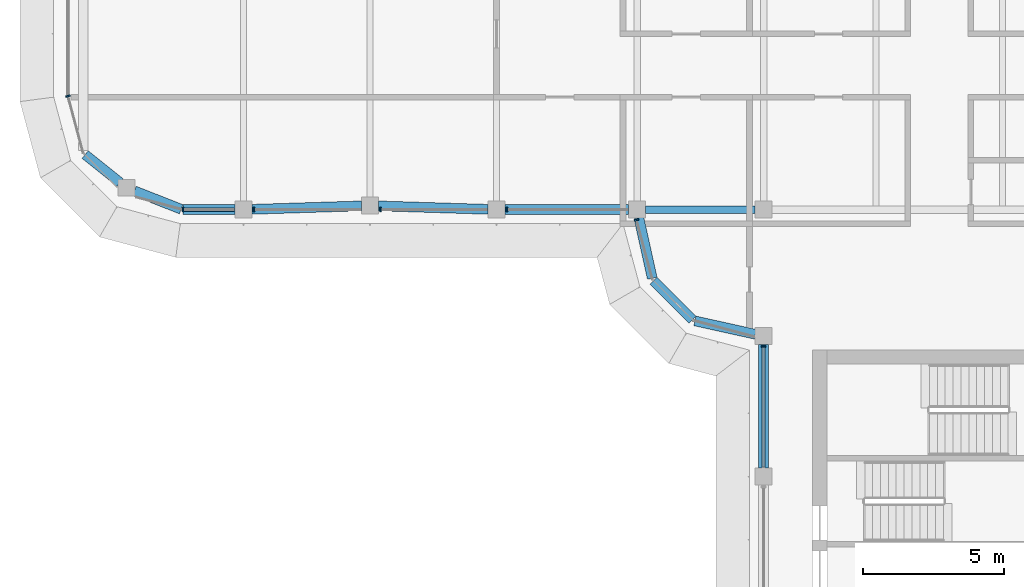
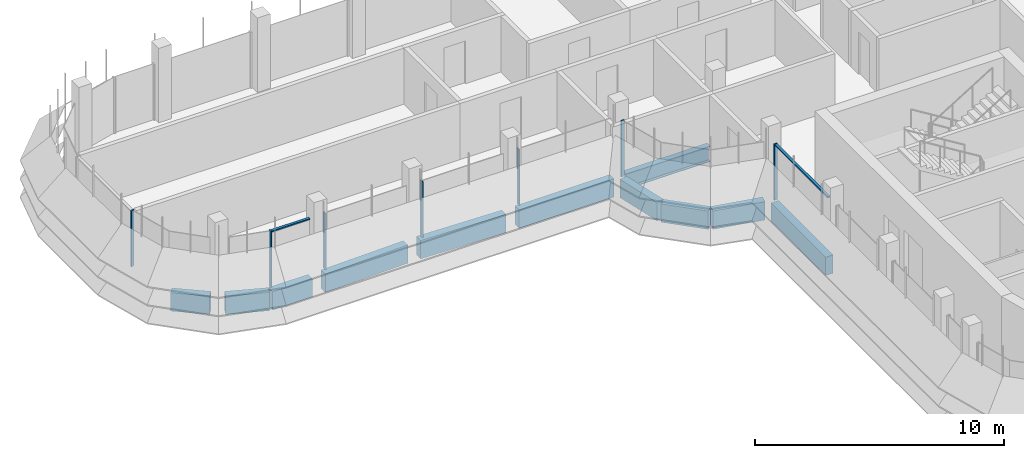
# One storey, part 3 of 19: 11 beams, 9 members, 4 elements without a shape of their own.
"""IFC4 building model written with IfcOpenShell, lengths in metres."""

from ifc_helpers import new_model, si_unit, direction, frame, origin, origin_2d, place, context, subcontext, project, spatial, polyline, rectangle, i_section, outline, extrude, source, transform, mapped, material, material_profile, profile_set, type_object, element, aggregate, save


model = new_model("IFC4")

# Units and contexts
model_context = context("Model", 3, precision=1e-05, world=origin(), true_north=direction((0.0, 1.0)))
body_context = subcontext(model_context, "Body", "Model", "MODEL_VIEW")
ifc_project = project(units=[si_unit("LENGTHUNIT", "METRE"), si_unit("AREAUNIT", "SQUARE_METRE"), si_unit("VOLUMEUNIT", "CUBIC_METRE"), si_unit("PLANEANGLEUNIT", "RADIAN"), si_unit("MASSUNIT", "GRAM", prefix="KILO")], contexts=[model_context])

# Site, building, storey
site_placement = place(None, origin())
site = spatial("IfcSite", under=ifc_project, at=site_placement, CompositionType="ELEMENT")
building_placement = place(site_placement, origin())
building = spatial("IfcBuilding", under=site, at=building_placement, Name="Zarbagh Exchange Tower", CompositionType="ELEMENT")
storey_placement = place(building_placement, frame((0.0, 0.0, 280.199951171875)))
storey = spatial("IfcBuildingStorey", under=building, at=storey_placement, Name="L69", CompositionType="ELEMENT", Elevation=280.199951171875)

# Beams
ifc_material_1 = material(Name="Steel ASTM A992 Gr 50", Category="steel")
ifc_material_profile_1 = material_profile(ifc_material_1, i_section(OverallWidth=0.2666015625, OverallDepth=0.7568359375, WebThickness=0.013916015625, FlangeThickness=0.019287109375, at=origin_2d()), Name="W30X108")
ifc_profile_set_1 = profile_set([ifc_material_profile_1], Name="Steel ASTM A992 Gr 50")
beam_type_1 = type_object("IfcBeamType", Name="Floor girder W30X108", PredefinedType="BEAM", material=ifc_profile_set_1)
beam_1_placement = place(storey_placement, frame((-10.449951171875, -6.25, -0.5283203125), z_axis=(1.0, 0.0, 0.0), x_axis=(0.0, 1.0, 0.0)))
element("IfcBeam", 1, at=beam_1_placement, inside=storey, type_object=beam_type_1, Name="Steel girder", PredefinedType="BEAM", context=body_context, shape_type="SweptSolid", body=[
    extrude(i_section(OverallWidth=0.2666015625, OverallDepth=0.7568359375, WebThickness=0.013916015625, FlangeThickness=0.019287109375, at=origin_2d()), origin(), (0.0, 0.0, 1.0), 3.89990234375),
])
ifc_material_2 = material(Name="Concrete C40/50", Category="concrete")
ifc_material_profile_2 = material_profile(ifc_material_2, rectangle(XDim=0.35009765625, YDim=0.89990234375, at=origin_2d()), Name="RC spandrel beam 350 x 900 C40/50")
ifc_profile_set_2 = profile_set([ifc_material_profile_2], Name="Concrete C40/50")
beam_type_2 = type_object("IfcBeamType", Name="RC spandrel beam 350 x 900 C40/50", PredefinedType="SPANDREL", material=ifc_profile_set_2)
beam_2_placement = place(storey_placement, frame((-6.25, -15.449951171875, -0.599853515625), z_axis=(0.0, 1.0, 0.0), x_axis=(-1.0, 0.0, 0.0)))
element("IfcBeam", 2, at=beam_2_placement, inside=storey, type_object=beam_type_2, Name="RC spandrel beam", PredefinedType="SPANDREL", context=body_context, shape_type="SweptSolid", body=[
    extrude(rectangle(XDim=0.35009765625, YDim=0.89990234375, at=origin_2d()), origin(), (0.0, 0.0, 1.0), 4.39990234375),
])
beam_3_placement = place(storey_placement, frame((-6.54296875, -10.685302734375, -0.599853515625), z_axis=(-0.976387662047, 0.216025770228, 0.0), x_axis=(-0.216025770228, -0.976387662047, 0.0)))
element("IfcBeam", 3, at=beam_3_placement, inside=storey, type_object=beam_type_2, Name="RC spandrel beam", PredefinedType="SPANDREL", context=body_context, shape_type="SweptSolid", body=[
    extrude(rectangle(XDim=0.35009765625, YDim=0.89990234375, at=origin_2d()), origin(), (0.0, 0.0, 1.0), 2.200439453125),
])
beam_4_placement = place(storey_placement, frame((-8.77734375, -10.16259765625, -0.599853515625), z_axis=(-0.707106781187, 0.707106781187, 0.0), x_axis=(-0.707106781187, -0.707106781187, 0.0)))
element("IfcBeam", 4, at=beam_4_placement, inside=storey, type_object=beam_type_2, Name="RC spandrel beam", PredefinedType="SPANDREL", context=body_context, shape_type="SweptSolid", body=[
    extrude(rectangle(XDim=0.35009765625, YDim=0.89990234375, at=origin_2d()), origin(), (0.0, 0.0, 1.0), 1.958984375),
])
beam_5_placement = place(storey_placement, frame((-10.2099609375, -8.69140625, -0.599853515625), z_axis=(-0.216025770228, 0.976387662047, 0.0), x_axis=(-0.976387662047, -0.216025770228, 0.0)))
element("IfcBeam", 5, at=beam_5_placement, inside=storey, type_object=beam_type_2, Name="RC spandrel beam", PredefinedType="SPANDREL", context=body_context, shape_type="SweptSolid", body=[
    extrude(rectangle(XDim=0.35009765625, YDim=0.89990234375, at=origin_2d()), origin(), (0.0, 0.0, 1.0), 2.200439453125),
])
beam_6_placement = place(storey_placement, frame((-11.050048828125, -6.25, -0.599853515625), z_axis=(-1.0, 0.0, 0.0), x_axis=(0.0, -1.0, 0.0)))
element("IfcBeam", 6, at=beam_6_placement, inside=storey, type_object=beam_type_2, Name="RC spandrel beam", PredefinedType="SPANDREL", context=body_context, shape_type="SweptSolid", body=[
    extrude(rectangle(XDim=0.35009765625, YDim=0.89990234375, at=origin_2d()), origin(), (0.0, 0.0, 1.0), 4.39990234375),
])
for number, where, z_axis, x_axis, name in (
    (7, (-16.0498046875, -6.24072265625, -0.599853515625), (-0.999516460907, 0.031094121249, 0.0), (-0.031094121249, -0.999516460907, 0.0), "RC spandrel beam"),
    (8, (-20.5498046875, -6.119384765625, -0.599853515625), (-0.999516460907, -0.031094121249, 0.0), (0.031094121249, -0.999516460907, 0.0), "RC spandrel beam"),
):
    element("IfcBeam", number, at=place(storey_placement, frame(where, z_axis=z_axis, x_axis=x_axis)), inside=storey, type_object=beam_type_2, Name=name, PredefinedType="SPANDREL", context=body_context, shape_type="SweptSolid", body=[
        extrude(rectangle(XDim=0.35009765625, YDim=0.89990234375, at=origin_2d()), origin(), (0.0, 0.0, 1.0), 3.90234375),
    ])
beam_7_placement = place(storey_placement, frame((-25.050048828125, -6.25, -0.599853515625), z_axis=(-1.0, 0.0, 0.0), x_axis=(0.0, -1.0, 0.0)))
element("IfcBeam", 9, at=beam_7_placement, inside=storey, type_object=beam_type_2, Name="RC spandrel beam", PredefinedType="SPANDREL", context=body_context, shape_type="SweptSolid", body=[
    extrude(rectangle(XDim=0.35009765625, YDim=0.89990234375, at=origin_2d()), origin(), (0.0, 0.0, 1.0), 1.850830078125),
])
beam_8_placement = place(storey_placement, frame((-26.965087890625, -6.23779296875, -0.599853515625), z_axis=(-0.930859366381, 0.365377667655, 0.0), x_axis=(-0.365377667655, -0.930859366381, 0.0)))
element("IfcBeam", 10, at=beam_8_placement, inside=storey, type_object=beam_type_2, Name="RC spandrel beam", PredefinedType="SPANDREL", context=body_context, shape_type="SweptSolid", body=[
    extrude(rectangle(XDim=0.35009765625, YDim=0.89990234375, at=origin_2d()), origin(), (0.0, 0.0, 1.0), 1.787353515625),
])
beam_9_placement = place(storey_placement, frame((-29.14208984375, -5.28759765625, -0.599853515625), z_axis=(-0.780584122498, 0.625050740104, 0.0), x_axis=(-0.625050740104, -0.780584122498, 0.0)))
element("IfcBeam", 11, at=beam_9_placement, inside=storey, type_object=beam_type_2, Name="RC spandrel beam", PredefinedType="SPANDREL", context=body_context, shape_type="SweptSolid", body=[
    extrude(rectangle(XDim=0.35009765625, YDim=0.89990234375, at=origin_2d()), origin(), (0.0, 0.0, 1.0), 1.590087890625),
])

# Curtain wall, member
ifc_material_3 = material(Name="Anodised aluminium frame and glazing", Category="aluminium")
curtain_wall_type = type_object("IfcCurtainWallType", Name="CWB Ribbon glazing, upper zones", PredefinedType="NOTDEFINED", material=ifc_material_3)
curtain_wall_1_placement = place(storey_placement, origin())
curtain_wall_1 = element("IfcCurtainWall", 12, at=curtain_wall_1_placement, inside=storey, type_object=curtain_wall_type, Name="CWB62 curtain wall", PredefinedType="NOTDEFINED")
ifc_material_4 = material(Name="Anodised aluminium frame", Category="aluminium")
member_type_1 = type_object("IfcMemberType", Name="MUB Mullion, anodised aluminium frame", PredefinedType="MULLION", material=ifc_material_4)
shared_shape_1 = source(origin(), body_context, "Body", "SweptSolid", [
    extrude(outline(polyline([(0.0, -0.080078125), (0.06005859375, -0.080078125), (0.06005859375, 0.080078125), (0.0, 0.080078125), (0.0, -0.080078125)])), origin(), (0.0, 0.0, 1.0), 2.75),
])
placement = place(storey_placement, origin())
member_1 = element("IfcMember", 13, at=placement, type_object=member_type_1, Name="CWB62 mullion 1.1", PredefinedType="MULLION", context=body_context, shape_type="MappedRepresentation", body=[
    mapped(shared_shape_1, transform((-31.0, -2.18408203125, 0.0), x_axis=(0.258824779902, -0.965924289636, 0.0), y_axis=(0.965924289636, 0.258824779902, 0.0), z_axis=(0.0, 0.0, 1.0))),
])
aggregate(curtain_wall_1, [member_1])

# Curtain wall, members
curtain_wall_2_placement = place(storey_placement, origin())
curtain_wall_2 = element("IfcCurtainWall", 14, at=curtain_wall_2_placement, inside=storey, type_object=curtain_wall_type, Name="CWB65 curtain wall", PredefinedType="NOTDEFINED")
member_2 = element("IfcMember", 15, at=placement, type_object=member_type_1, Name="CWB65 mullion 1.1", PredefinedType="MULLION", context=body_context, shape_type="MappedRepresentation", body=[
    mapped(shared_shape_1, transform((-26.93408203125, -6.25, 0.0), x_axis=(1.0, 0.0, 0.0), y_axis=(0.0, 1.0, 0.0), z_axis=(0.0, 0.0, 1.0))),
])
member_3 = element("IfcMember", 16, at=placement, type_object=member_type_1, Name="CWB65 mullion 2.1", PredefinedType="MULLION", context=body_context, shape_type="MappedRepresentation", body=[
    mapped(shared_shape_1, transform((-24.409912109375, -6.25, 0.0), x_axis=(1.0, 0.0, 0.0), y_axis=(0.0, 1.0, 0.0), z_axis=(0.0, 0.0, 1.0))),
])
member_4 = element("IfcMember", 17, at=placement, type_object=member_type_1, Name="CWB65 mullion 3.1", PredefinedType="MULLION", context=body_context, shape_type="MappedRepresentation", body=[
    mapped(shared_shape_1, transform((-19.909912109375, -6.25, 0.0), x_axis=(1.0, 0.0, 0.0), y_axis=(0.0, 1.0, 0.0), z_axis=(0.0, 0.0, 1.0))),
])
member_5 = element("IfcMember", 18, at=placement, type_object=member_type_1, Name="CWB65 mullion 4.1", PredefinedType="MULLION", context=body_context, shape_type="MappedRepresentation", body=[
    mapped(shared_shape_1, transform((-15.409912109375, -6.25, 0.0), x_axis=(1.0, 0.0, 0.0), y_axis=(0.0, 1.0, 0.0), z_axis=(0.0, 0.0, 1.0))),
])

# Curtain wall, member
curtain_wall_3_placement = place(storey_placement, origin())
curtain_wall_3 = element("IfcCurtainWall", 19, at=curtain_wall_3_placement, inside=storey, type_object=curtain_wall_type, Name="CWB41 curtain wall", PredefinedType="NOTDEFINED")
member_6 = element("IfcMember", 20, at=placement, type_object=member_type_1, Name="CWB41 mullion 1.1", PredefinedType="MULLION", context=body_context, shape_type="MappedRepresentation", body=[
    mapped(shared_shape_1, transform((-10.775146484375, -6.590087890625, 0.0), x_axis=(0.258824779902, -0.965924289636, 0.0), y_axis=(0.965924289636, 0.258824779902, 0.0), z_axis=(0.0, 0.0, 1.0))),
])
aggregate(curtain_wall_3, [member_6])

curtain_wall_4_placement = place(storey_placement, origin())
curtain_wall_4 = element("IfcCurtainWall", 21, at=curtain_wall_4_placement, inside=storey, type_object=curtain_wall_type, Name="CWB53 curtain wall", PredefinedType="NOTDEFINED")
member_7 = element("IfcMember", 22, at=placement, type_object=member_type_1, Name="CWB53 mullion 1.1", PredefinedType="MULLION", context=body_context, shape_type="MappedRepresentation", body=[
    mapped(shared_shape_1, transform((-6.25, -11.090087890625, 0.0), x_axis=(0.0, -1.0, 0.0), y_axis=(1.0, 0.0, 0.0), z_axis=(0.0, 0.0, 1.0))),
])

# Member
member_type_2 = type_object("IfcMemberType", Name="TRB Transom, anodised aluminium frame", PredefinedType="USERDEFINED", material=ifc_material_4)
shared_shape_2 = source(origin(), body_context, "Body", "SweptSolid", [
    extrude(outline(polyline([(-0.06005859375, -0.06005859375), (0.0, -0.06005859375), (0.0, 0.06005859375), (-0.06005859375, 0.06005859375), (-0.06005859375, -0.06005859375)])), origin(), (0.0, 0.0, 1.0), 1.7841796875),
])
member_8 = element("IfcMember", 23, at=placement, type_object=member_type_2, Name="CWB65 transom 1.1", ObjectType="TRANSOM", PredefinedType="USERDEFINED", context=body_context, shape_type="MappedRepresentation", body=[
    mapped(shared_shape_2, transform((-26.874267578125, -6.25, 2.75), x_axis=(0.0, 0.0, 1.0), y_axis=(0.0, -1.0, 0.0), z_axis=(1.0, 0.0, 0.0))),
])

aggregate(curtain_wall_2, [member_2, member_8, member_3, member_4, member_5])

shared_shape_3 = source(origin(), body_context, "Body", "SweptSolid", [
    extrude(outline(polyline([(-0.06005859375, -0.06005859375), (0.0, -0.06005859375), (0.0, 0.06005859375), (-0.06005859375, 0.06005859375), (-0.06005859375, -0.06005859375)])), origin(), (0.0, 0.0, 1.0), 4.260009765625),
])
member_9 = element("IfcMember", 24, at=placement, type_object=member_type_2, Name="CWB53 transom 1.1", ObjectType="TRANSOM", PredefinedType="USERDEFINED", context=body_context, shape_type="MappedRepresentation", body=[
    mapped(shared_shape_3, transform((-6.25, -11.150146484375, 2.75), x_axis=(0.0, 0.0, 1.0), y_axis=(-1.0, 0.0, 0.0), z_axis=(0.0, -1.0, 0.0))),
])

aggregate(curtain_wall_4, [member_7, member_9])

save(model, "model.ifc")
